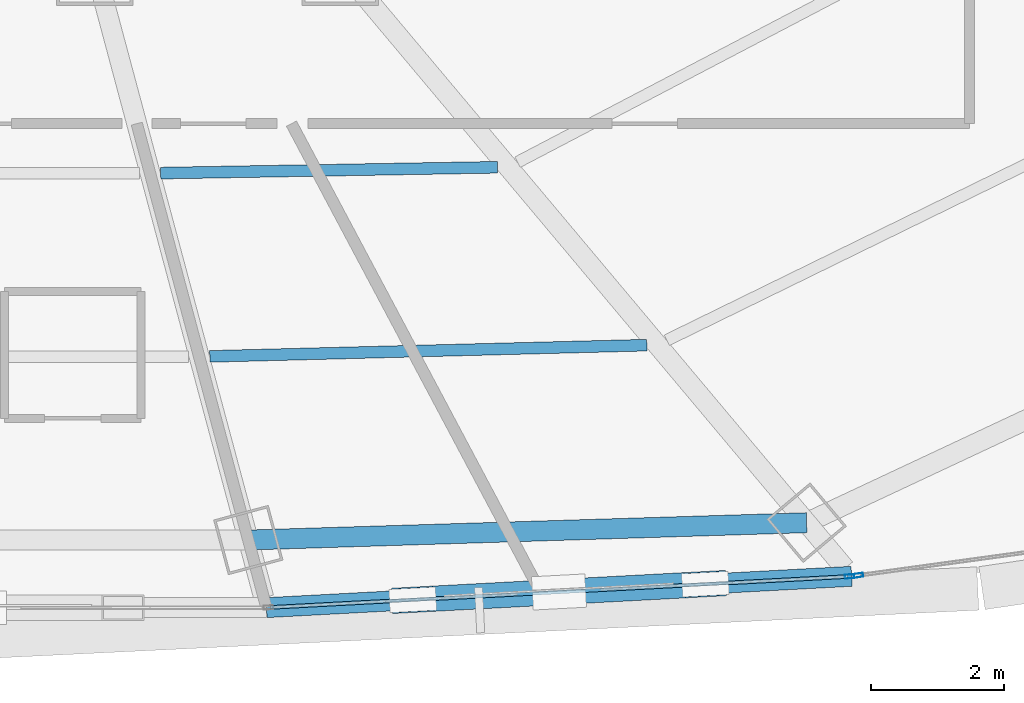
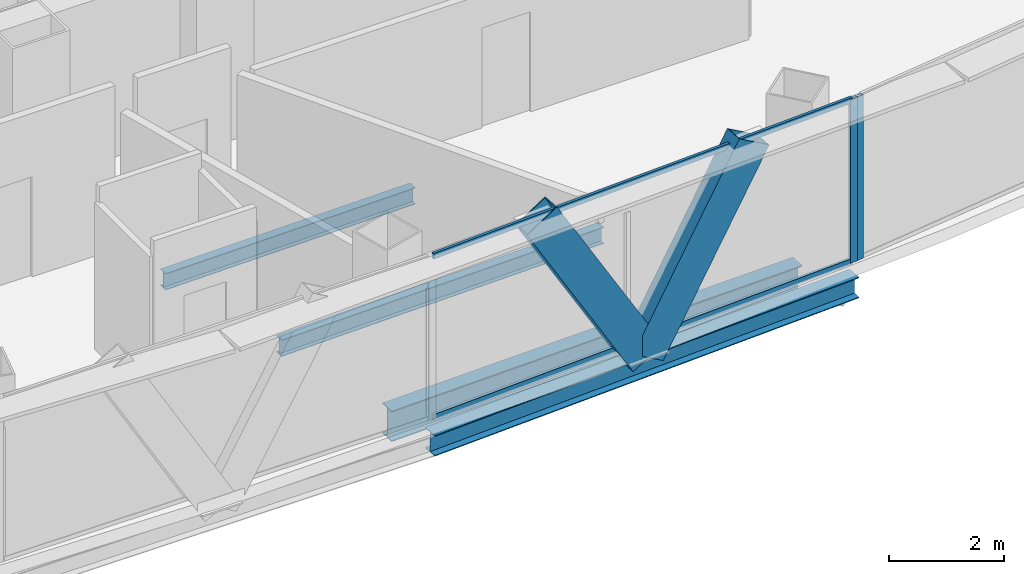
# One storey, part 11 of 36: 6 members, 4 beams, 2 elements without a shape of their own.
"""IFC4 building model written with IfcOpenShell, lengths in metres."""

from ifc_helpers import new_model, si_unit, direction, frame, origin, origin_2d, place, context, subcontext, project, spatial, hollow_rectangle, i_section, extrude, source, transform, mapped, material, layer, layer_set, material_profile, profile_set, type_object, element, aggregate, save


model = new_model("IFC4")

# Units and contexts
model_context = context("Model", 3, precision=1e-05, world=origin(), true_north=direction((0.0, 1.0)))
body_context = subcontext(model_context, "Body", "Model", "MODEL_VIEW")
ifc_project = project(units=[si_unit("LENGTHUNIT", "METRE"), si_unit("AREAUNIT", "SQUARE_METRE"), si_unit("VOLUMEUNIT", "CUBIC_METRE"), si_unit("PLANEANGLEUNIT", "RADIAN"), si_unit("MASSUNIT", "GRAM", prefix="KILO"), si_unit("THERMODYNAMICTEMPERATUREUNIT", "KELVIN"), si_unit("POWERUNIT", "WATT")], contexts=[model_context])

# Site, building, storey
site_placement = place(None, origin())
site = spatial("IfcSite", under=ifc_project, at=site_placement, CompositionType="ELEMENT")
building_placement = place(site_placement, origin())
building = spatial("IfcBuilding", under=site, at=building_placement, Name="Yunzhuo Pagoda Commons", CompositionType="ELEMENT")
storey_placement = place(building_placement, frame((0.0, 0.0, 263.179931640625)))
storey = spatial("IfcBuildingStorey", under=building, at=storey_placement, Name="L66", CompositionType="ELEMENT", Elevation=263.179931640625)

# Beams
ifc_material_1 = material(Name="Structural steel Q355B", Category="steel")
ifc_material_profile_1 = material_profile(ifc_material_1, i_section(OverallWidth=0.300048828125, OverallDepth=0.64990234375, WebThickness=0.012939453125, FlangeThickness=0.02197265625, at=origin_2d()), Name="Structural steel Q355B")
ifc_profile_set_1 = profile_set([ifc_material_profile_1], Name="Structural steel Q355B")
beam_type_1 = type_object("IfcBeamType", Name="B-RG2 Beam HN 650x300x13x22", PredefinedType="BEAM", material=ifc_profile_set_1)
shared_shape_1 = source(origin(), body_context, "Body", "SweptSolid", [
    extrude(i_section(OverallWidth=0.300048828125, OverallDepth=0.64990234375, WebThickness=0.012939453125, FlangeThickness=0.02197265625, at=origin_2d()), origin(), (0.0, 0.0, 1.0), 8.37939453125),
])
beam_1_placement = place(storey_placement, frame((52.031494140625, 18.654052734375, -0.5849609375), z_axis=(0.999519382133, 0.031000076447, 0.0), x_axis=(-0.031000076447, 0.999519382133, 0.0)))
element("IfcBeam", 1, at=beam_1_placement, inside=storey, type_object=beam_type_1, Name="L66 column-ring beam 3", PredefinedType="BEAM", context=body_context, shape_type="MappedRepresentation", body=[
    mapped(shared_shape_1, transform((0.0, 0.0, 0.0), scale=1.0)),
])
ifc_material_profile_2 = material_profile(ifc_material_1, i_section(OverallWidth=0.175048828125, OverallDepth=0.35009765625, WebThickness=0.007080078125, FlangeThickness=0.010986328125, at=origin_2d()), Name="Structural steel Q355B")
ifc_profile_set_2 = profile_set([ifc_material_profile_2], Name="Structural steel Q355B")
beam_type_2 = type_object("IfcBeamType", Name="B-JS2 Joist HN 350x175x7x11", PredefinedType="JOIST", material=ifc_profile_set_2)
shared_shape_2 = source(origin(), body_context, "Body", "SweptSolid", [
    extrude(i_section(OverallWidth=0.175048828125, OverallDepth=0.35009765625, WebThickness=0.007080078125, FlangeThickness=0.010986328125, at=origin_2d()), origin(), (0.0, 0.0, 1.0), 5.0556640625),
])
beam_2_placement = place(storey_placement, frame((50.716552734375, 24.158203125, -0.434814453125), z_axis=(0.999848878561, 0.017384477, 0.0), x_axis=(-0.017384477, 0.999848878561, 0.0)))
element("IfcBeam", 2, at=beam_2_placement, inside=storey, type_object=beam_type_2, Name="L66 composite ring joist 1.3", PredefinedType="JOIST", context=body_context, shape_type="MappedRepresentation", body=[
    mapped(shared_shape_2, transform((0.0, 0.0, 0.0), scale=1.0)),
])
shared_shape_3 = source(origin(), body_context, "Body", "SweptSolid", [
    extrude(i_section(OverallWidth=0.175048828125, OverallDepth=0.35009765625, WebThickness=0.007080078125, FlangeThickness=0.010986328125, at=origin_2d()), origin(), (0.0, 0.0, 1.0), 6.558349609375),
])
beam_3_placement = place(storey_placement, frame((51.45361328125, 21.40869140625, -0.434814453125), z_axis=(0.99966910323, 0.025723220017, 0.0), x_axis=(-0.025723220017, 0.99966910323, 0.0)))
element("IfcBeam", 3, at=beam_3_placement, inside=storey, type_object=beam_type_2, Name="L66 composite ring joist 2.3", PredefinedType="JOIST", context=body_context, shape_type="MappedRepresentation", body=[
    mapped(shared_shape_3, transform((0.0, 0.0, 0.0), scale=1.0)),
])
ifc_material_profile_3 = material_profile(ifc_material_1, i_section(OverallWidth=0.300048828125, OverallDepth=0.43994140625, WebThickness=0.010986328125, FlangeThickness=0.01806640625, at=origin_2d()), Name="Structural steel Q355B")
ifc_profile_set_3 = profile_set([ifc_material_profile_3], Name="Structural steel Q355B")
beam_type_3 = type_object("IfcBeamType", Name="B-SP2 Beam HM 440x300x11x18", PredefinedType="BEAM", material=ifc_profile_set_3)
shared_shape_4 = source(origin(), body_context, "Body", "SweptSolid", [
    extrude(i_section(OverallWidth=0.300048828125, OverallDepth=0.43994140625, WebThickness=0.010986328125, FlangeThickness=0.01806640625, at=origin_2d()), origin(), (0.0, 0.0, 1.0), 8.791259765625),
])
beam_4_placement = place(storey_placement, frame((52.30322265625, 17.6396484375, -0.47998046875), z_axis=(0.998571573919, 0.053430438518, 0.0), x_axis=(-0.053430438518, 0.998571573919, 0.0)))
element("IfcBeam", 4, at=beam_4_placement, inside=storey, type_object=beam_type_3, Name="L66 facade edge spandrel beam F1.3", PredefinedType="BEAM", context=body_context, shape_type="MappedRepresentation", body=[
    mapped(shared_shape_4, transform((0.0, 0.0, 0.0), scale=1.0)),
])

# Members
ifc_material_profile_4 = material_profile(ifc_material_1, hollow_rectangle(XDim=0.3798828125, YDim=0.719970703125, WallThickness=0.02001953125, at=origin_2d()), Name="Structural steel Q355B")
ifc_profile_set_4 = profile_set([ifc_material_profile_4], Name="Structural steel Q355B")
member_type_1 = type_object("IfcMemberType", Name="M-DL3 Brace BOX 720x380x20", PredefinedType="BRACE", material=ifc_profile_set_4)
shared_shape_5 = source(origin(), body_context, "Body", "SweptSolid", [
    extrude(hollow_rectangle(XDim=0.3798828125, YDim=0.719970703125, WallThickness=0.02001953125, at=origin_2d()), origin(), (0.0, 0.0, 1.0), 4.329345703125),
])
for number, where, z_axis, x_axis, name in (
    (5, (56.692626953125, 17.87451171875, -0.260009765625), (-0.50691489426, -0.027124937606, 0.861569223996), (0.053433402023, -0.998571415347, 0.0), "L66 facade diamond brace F1.3L"),
    (6, (56.692626953125, 17.87451171875, -0.260009765625), (0.506956794418, 0.027124162193, 0.861544594562), (-0.053427475341, 0.998571732465, 0.0), "L66 facade diamond brace F1.3R"),
):
    element("IfcMember", number, at=place(storey_placement, frame(where, z_axis=z_axis, x_axis=x_axis)), inside=storey, type_object=member_type_1, Name=name, PredefinedType="BRACE", context=body_context, shape_type="MappedRepresentation", body=[
        mapped(shared_shape_5, transform((0.0, 0.0, 0.0), scale=1.0)),
    ])

# Curtain wall, member
ifc_material_2 = material(Name="Anodized aluminium 6063-T6", Category="aluminium")
ifc_layer = layer(ifc_material_2, 0.139892578125)
ifc_layer_set = layer_set([ifc_layer], Name="Anodized aluminium 6063-T6")
curtain_wall_type = type_object("IfcCurtainWallType", Name="CW-HI High-Zone Ribbon Curtain Wall", PredefinedType="NOTDEFINED", material=ifc_layer_set)
curtain_wall_1_placement = place(storey_placement, origin())
curtain_wall_1 = element("IfcCurtainWall", 7, at=curtain_wall_1_placement, inside=storey, type_object=curtain_wall_type, Name="L66 curtain wall CW-L66-F1B4", PredefinedType="NOTDEFINED")
ifc_material_profile_5 = material_profile(ifc_material_2, hollow_rectangle(XDim=0.06005859375, YDim=0.139892578125, WallThickness=0.00341796875, at=origin_2d()), Name="Anodized aluminium 6063-T6")
ifc_profile_set_5 = profile_set([ifc_material_profile_5], Name="Anodized aluminium 6063-T6")
member_type_2 = type_object("IfcMemberType", Name="CW-HI-M Mullion RHS 140x60x3.5", PredefinedType="MULLION", material=ifc_profile_set_5)
shared_shape_6 = source(origin(), body_context, "Body", "SweptSolid", [
    extrude(hollow_rectangle(XDim=0.06005859375, YDim=0.139892578125, WallThickness=0.00341796875, at=origin_2d()), origin(), (0.0, 0.0, 1.0), 3.469970703125),
])
member_1_placement = place(storey_placement, frame((61.05224609375, 18.10791015625, 0.0), z_axis=(0.0, 0.0, 1.0), x_axis=(-0.053427477858, 0.998571732331, 0.0)))
member_1 = element("IfcMember", 8, at=member_1_placement, type_object=member_type_2, Name="CW mullion 2", PredefinedType="MULLION", context=body_context, shape_type="MappedRepresentation", body=[
    mapped(shared_shape_6, transform((0.0, 0.0, 0.0), scale=1.0)),
])

curtain_wall_2_placement = place(storey_placement, origin())
curtain_wall_2 = element("IfcCurtainWall", 9, at=curtain_wall_2_placement, inside=storey, type_object=curtain_wall_type, Name="L66 curtain wall CW-L66-F1B5", PredefinedType="NOTDEFINED")
member_2_placement = place(storey_placement, frame((61.18603515625, 18.123779296875, 0.0), z_axis=(0.0, 0.0, 1.0), x_axis=(-0.136099051399, 0.990695234776, 0.0)))
member_2 = element("IfcMember", 10, at=member_2_placement, type_object=member_type_2, Name="CW mullion 1", PredefinedType="MULLION", context=body_context, shape_type="MappedRepresentation", body=[
    mapped(shared_shape_6, transform((0.0, 0.0, 0.0), scale=1.0)),
])
aggregate(curtain_wall_2, [member_2])

# Member
ifc_material_profile_6 = material_profile(ifc_material_2, hollow_rectangle(XDim=0.054931640625, YDim=0.1201171875, WallThickness=0.00341796875, at=origin_2d()), Name="Anodized aluminium 6063-T6")
ifc_profile_set_6 = profile_set([ifc_material_profile_6], Name="Anodized aluminium 6063-T6")
member_type_3 = type_object("IfcMemberType", Name="CW-HI-T Transom RHS 120x55x3.5", PredefinedType="USERDEFINED", material=ifc_profile_set_6)
shared_shape_7 = source(origin(), body_context, "Body", "SweptSolid", [
    extrude(hollow_rectangle(XDim=0.054931640625, YDim=0.1201171875, WallThickness=0.00341796875, at=origin_2d()), origin(), (0.0, 0.0, 1.0), 8.67138671875),
])
member_3_placement = place(storey_placement, frame((52.36328125, 17.642822265625, 0.02783203125), z_axis=(0.998571165488, 0.053438071224, 0.0), x_axis=(-0.053438071224, 0.998571165488, 0.0)))
member_3 = element("IfcMember", 11, at=member_3_placement, type_object=member_type_3, Name="CW transom 1.1", ObjectType="TRANSOM", PredefinedType="USERDEFINED", context=body_context, shape_type="MappedRepresentation", body=[
    mapped(shared_shape_7, transform((0.0, 0.0, 0.0), scale=1.0)),
])

member_4_placement = place(storey_placement, frame((52.36328125, 17.642822265625, 3.442626953125), z_axis=(0.998571165488, 0.053438071224, 0.0), x_axis=(-0.053438071224, 0.998571165488, 0.0)))
member_4 = element("IfcMember", 12, at=member_4_placement, type_object=member_type_3, Name="CW transom 1.2", ObjectType="TRANSOM", PredefinedType="USERDEFINED", context=body_context, shape_type="MappedRepresentation", body=[
    mapped(shared_shape_7, transform((0.0, 0.0, 0.0), scale=1.0)),
])

aggregate(curtain_wall_1, [member_1, member_3, member_4])

save(model, "model.ifc")
